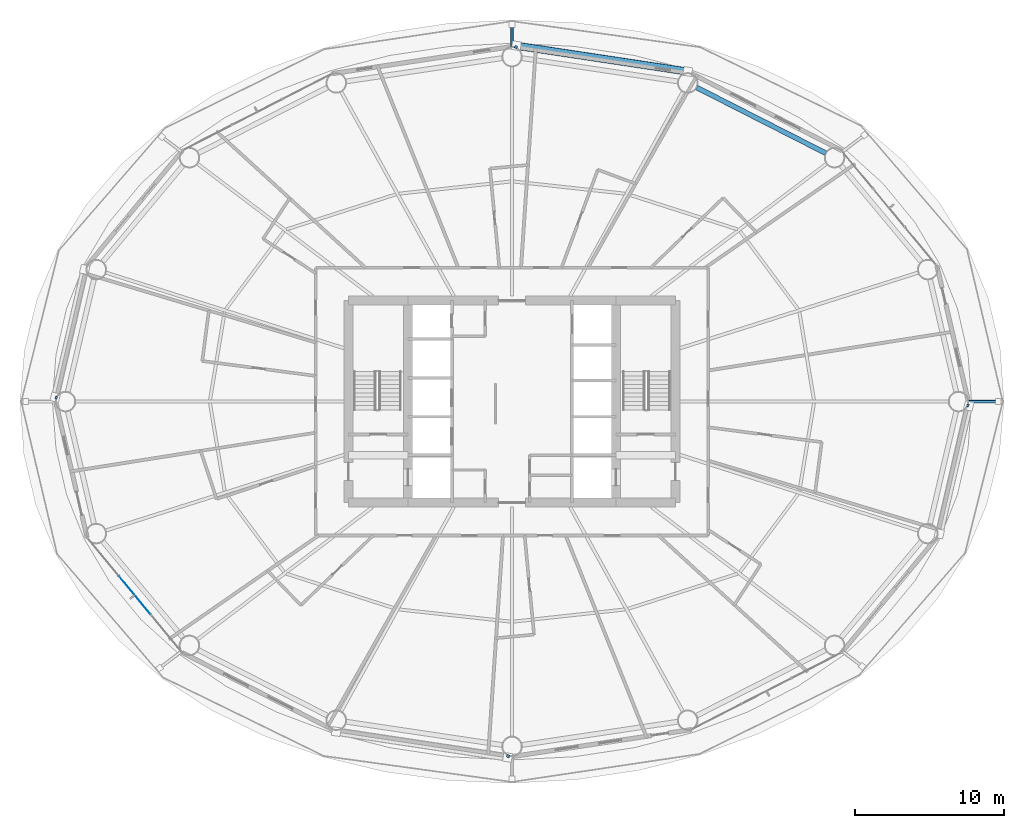
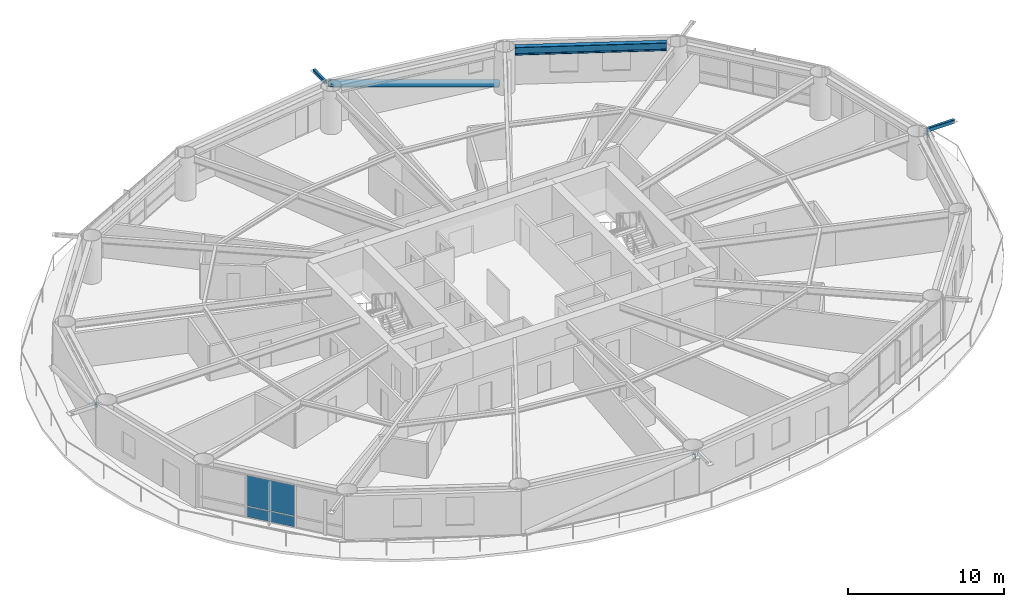
# One storey, part 15 of 26: 7 members, 2 plates, 1 beam, 1 element without a shape of its own.
"""IFC4 building model written with IfcOpenShell, lengths in metres."""

from ifc_helpers import new_model, si_unit, direction, frame, origin, origin_2d, place, context, subcontext, project, spatial, rectangle, hollow_rectangle, hollow_circle, i_section, extrude, material, layer, layer_set, material_profile, profile_set, type_object, element, aggregate, save


model = new_model("IFC4")

# Units and contexts
model_context = context("Model", 3, precision=1e-05, world=origin(), true_north=direction((0.0, 1.0)))
body_context = subcontext(model_context, "Body", "Model", "MODEL_VIEW")
ifc_project = project(units=[si_unit("LENGTHUNIT", "METRE"), si_unit("AREAUNIT", "SQUARE_METRE"), si_unit("VOLUMEUNIT", "CUBIC_METRE"), si_unit("PLANEANGLEUNIT", "RADIAN"), si_unit("MASSUNIT", "GRAM", prefix="KILO")], contexts=[model_context])

# Site, building, storey
site_placement = place(None, origin())
site = spatial("IfcSite", under=ifc_project, at=site_placement, CompositionType="ELEMENT")
building_placement = place(site_placement, origin())
building = spatial("IfcBuilding", under=site, at=building_placement, Name="Sarneth Arch Tower", CompositionType="ELEMENT")
storey_placement = place(building_placement, frame((0.0, 0.0, 60.60009765625)))
storey = spatial("IfcBuildingStorey", under=building, at=storey_placement, Name="L14", CompositionType="ELEMENT", Elevation=60.60009765625)

# Beam
ifc_material_1 = material(Name="Steel S355", Category="steel")
ifc_material_profile_1 = material_profile(ifc_material_1, i_section(OverallWidth=0.326904296875, OverallDepth=0.6220703125, WebThickness=0.015380859375, FlangeThickness=0.0244140625, FilletRadius=0.01904296875, at=origin_2d()), Name="W610x195")
ifc_profile_set_1 = profile_set([ifc_material_profile_1], Name="Steel S355")
beam_type = type_object("IfcBeamType", Name="BM-SPAN-610A", PredefinedType="SPANDREL", material=ifc_profile_set_1)
beam_placement = place(storey_placement, frame((69.09521484375, 58.711181640625, 3.06884765625), z_axis=(-0.8911738076, 0.453662037919, 0.0), x_axis=(-0.453662037919, -0.8911738076, 0.0)))
element("IfcBeam", 1, at=beam_placement, inside=storey, type_object=beam_type, Name="L14 Perimeter spandrel beam 03", PredefinedType="SPANDREL", context=body_context, shape_type="SweptSolid", body=[
    extrude(i_section(OverallWidth=0.326904296875, OverallDepth=0.6220703125, WebThickness=0.015380859375, FlangeThickness=0.0244140625, FilletRadius=0.01904296875, at=origin_2d()), origin(), (0.0, 0.0, 1.0), 9.735107421875),
])

# Members
ifc_material_2 = material(Name="Steel S355", Category="steel")
ifc_material_profile_2 = material_profile(ifc_material_2, hollow_rectangle(XDim=0.199951171875, YDim=0.300048828125, WallThickness=0.012451171875, InnerFilletRadius=0.018798828125, OuterFilletRadius=0.03125, at=origin_2d()), Name="RHS300x200x12.5")
ifc_profile_set_2 = profile_set([ifc_material_profile_2], Name="Steel S355")
member_type_1 = type_object("IfcMemberType", Name="MEM-CANT-STRUT", PredefinedType="STRUT", material=ifc_profile_set_2)
member_1_placement = place(storey_placement, frame((78.709716796875, 42.0, 3.219970703125), z_axis=(1.0, 0.0, 0.0), x_axis=(0.0, 1.0, 0.0)))
element("IfcMember", 2, at=member_1_placement, inside=storey, type_object=member_type_1, Name="L14 Balcony cantilever bracket 01", PredefinedType="STRUT", context=body_context, shape_type="SweptSolid", body=[
    extrude(hollow_rectangle(XDim=0.199951171875, YDim=0.300048828125, WallThickness=0.012451171875, InnerFilletRadius=0.018798828125, OuterFilletRadius=0.03125, at=origin_2d()), origin(), (0.0, 0.0, 1.0), 2.008544921875),
])
member_2_placement = place(storey_placement, frame((48.227294921875, 65.763427734375, 3.006591796875), z_axis=(0.374114534281, 0.927382507512, 0.0), x_axis=(-0.927382507512, 0.374114534281, 0.0)))
element("IfcMember", 3, at=member_2_placement, inside=storey, type_object=member_type_1, Name="L14 Exoskeleton brace node strut 04B", PredefinedType="STRUT", context=body_context, shape_type="SweptSolid", body=[
    extrude(hollow_rectangle(XDim=0.199951171875, YDim=0.300048828125, WallThickness=0.012451171875, InnerFilletRadius=0.018798828125, OuterFilletRadius=0.03125, at=origin_2d()), origin(), (0.0, 0.0, 1.0), 0.185302734375),
])
member_3_placement = place(storey_placement, frame((48.0, 65.875, 3.219970703125), z_axis=(0.0, 1.0, 0.0), x_axis=(-1.0, 0.0, 0.0)))
element("IfcMember", 4, at=member_3_placement, inside=storey, type_object=member_type_1, Name="L14 Balcony cantilever bracket 05", PredefinedType="STRUT", context=body_context, shape_type="SweptSolid", body=[
    extrude(hollow_rectangle(XDim=0.199951171875, YDim=0.300048828125, WallThickness=0.012451171875, InnerFilletRadius=0.018798828125, OuterFilletRadius=0.03125, at=origin_2d()), origin(), (0.0, 0.0, 1.0), 1.49169921875),
])
member_4_placement = place(storey_placement, frame((17.40576171875, 42.23681640625, 3.006591796875), z_axis=(-0.921085575415, 0.389360196684, 0.0), x_axis=(-0.389360196684, -0.921085575415, 0.0)))
element("IfcMember", 5, at=member_4_placement, inside=storey, type_object=member_type_1, Name="L14 Exoskeleton brace node strut 08B", PredefinedType="STRUT", context=body_context, shape_type="SweptSolid", body=[
    extrude(hollow_rectangle(XDim=0.199951171875, YDim=0.300048828125, WallThickness=0.012451171875, InnerFilletRadius=0.018798828125, OuterFilletRadius=0.03125, at=origin_2d()), origin(), (0.0, 0.0, 1.0), 0.142333984375),
])
member_5_placement = place(storey_placement, frame((47.772705078125, 18.236572265625, 3.006591796875), z_axis=(-0.374114534281, -0.927382507512, 0.0), x_axis=(0.927382507512, -0.374114534281, 0.0)))
element("IfcMember", 6, at=member_5_placement, inside=storey, type_object=member_type_1, Name="L14 Exoskeleton brace node strut 12B", PredefinedType="STRUT", context=body_context, shape_type="SweptSolid", body=[
    extrude(hollow_rectangle(XDim=0.199951171875, YDim=0.300048828125, WallThickness=0.012451171875, InnerFilletRadius=0.018798828125, OuterFilletRadius=0.03125, at=origin_2d()), origin(), (0.0, 0.0, 1.0), 0.185302734375),
])
member_6_placement = place(storey_placement, frame((78.59423828125, 41.76318359375, 3.006591796875), z_axis=(0.921085575415, -0.389360196684, 0.0), x_axis=(0.389360196684, 0.921085575415, 0.0)))
element("IfcMember", 7, at=member_6_placement, inside=storey, type_object=member_type_1, Name="L14 Exoskeleton brace node strut 16B", PredefinedType="STRUT", context=body_context, shape_type="SweptSolid", body=[
    extrude(hollow_rectangle(XDim=0.199951171875, YDim=0.300048828125, WallThickness=0.012451171875, InnerFilletRadius=0.018798828125, OuterFilletRadius=0.03125, at=origin_2d()), origin(), (0.0, 0.0, 1.0), 0.142333984375),
])
ifc_material_3 = material(Name="Steel S355", Category="steel")
ifc_material_profile_3 = material_profile(ifc_material_3, hollow_circle(Radius=0.25390625, WallThickness=0.01611328125, at=origin_2d()), Name="CHS508x16")
ifc_profile_set_3 = profile_set([ifc_material_profile_3], Name="Steel S355")
member_type_2 = type_object("IfcMemberType", Name="MEM-DIAG-BR1", PredefinedType="BRACE", material=ifc_profile_set_3)
member_7_placement = place(storey_placement, frame((59.819580078125, 64.19921875, 0.02001953125), z_axis=(-0.957880726284, 0.144317340663, 0.248268039422), x_axis=(-0.1489817545, -0.988839944999, 0.0)))
element("IfcMember", 8, at=member_7_placement, inside=storey, type_object=member_type_2, Name="L14 Perimeter frame diagonal 04", PredefinedType="BRACE", context=body_context, shape_type="SweptSolid", body=[
    extrude(hollow_circle(Radius=0.25390625, WallThickness=0.01611328125, at=origin_2d()), origin(), (0.0, 0.0, 1.0), 12.029541015625),
])

# Curtain wall, plates
ifc_material_4 = material(Name="Anodised aluminium Type AA25 and solar-control low-e laminated IGU", Category="aluminium")
ifc_layer_1 = layer(ifc_material_4, 0.159912109375)
ifc_layer_set_1 = layer_set([ifc_layer_1], Name="Anodised aluminium Type AA25 and solar-control low-e laminated IGU")
curtain_wall_type = type_object("IfcCurtainWallType", Name="CW-HOTEL-LOW", PredefinedType="NOTDEFINED", material=ifc_layer_set_1)
curtain_wall_placement = place(storey_placement, origin())
curtain_wall = element("IfcCurtainWall", 9, at=curtain_wall_placement, inside=storey, type_object=curtain_wall_type, Name="L14 Unitised curtain wall facet 10", PredefinedType="NOTDEFINED")
ifc_material_5 = material(Name="Solar-control low-e laminated IGU", Category="glass")
ifc_layer_2 = layer(ifc_material_5, 0.028076171875)
ifc_layer_set_2 = layer_set([ifc_layer_2], Name="Solar-control low-e laminated IGU")
plate_type = type_object("IfcPlateType", Name="CW-PANEL", PredefinedType="CURTAIN_PANEL", material=ifc_layer_set_2)
plate_1_placement = place(storey_placement, frame((22.62255859375, 28.98779296875, 0.059814453125), z_axis=(0.0, 0.0, 1.0), x_axis=(0.637291340827, -0.770622960278, 0.0)))
plate_1 = element("IfcPlate", 10, at=plate_1_placement, type_object=plate_type, Name="Curtain wall glazed vision pane CW-L14-F10/P01-00", PredefinedType="CURTAIN_PANEL", context=body_context, shape_type="SweptSolid", body=[
    extrude(rectangle(XDim=3.291015625, YDim=0.028076171875, at=origin_2d()), origin(), (0.0, 0.0, 1.0), 0.81005859375),
])
plate_2_placement = place(storey_placement, frame((22.62255859375, 28.98779296875, 0.93017578125), z_axis=(0.0, 0.0, 1.0), x_axis=(0.637291340827, -0.770622960278, 0.0)))
plate_2 = element("IfcPlate", 11, at=plate_2_placement, type_object=plate_type, Name="Curtain wall glazed vision pane CW-L14-F10/P01-01", PredefinedType="CURTAIN_PANEL", context=body_context, shape_type="SweptSolid", body=[
    extrude(rectangle(XDim=3.291015625, YDim=0.028076171875, at=origin_2d()), origin(), (0.0, 0.0, 1.0), 2.389892578125),
])
aggregate(curtain_wall, [plate_1, plate_2])

save(model, "model.ifc")
